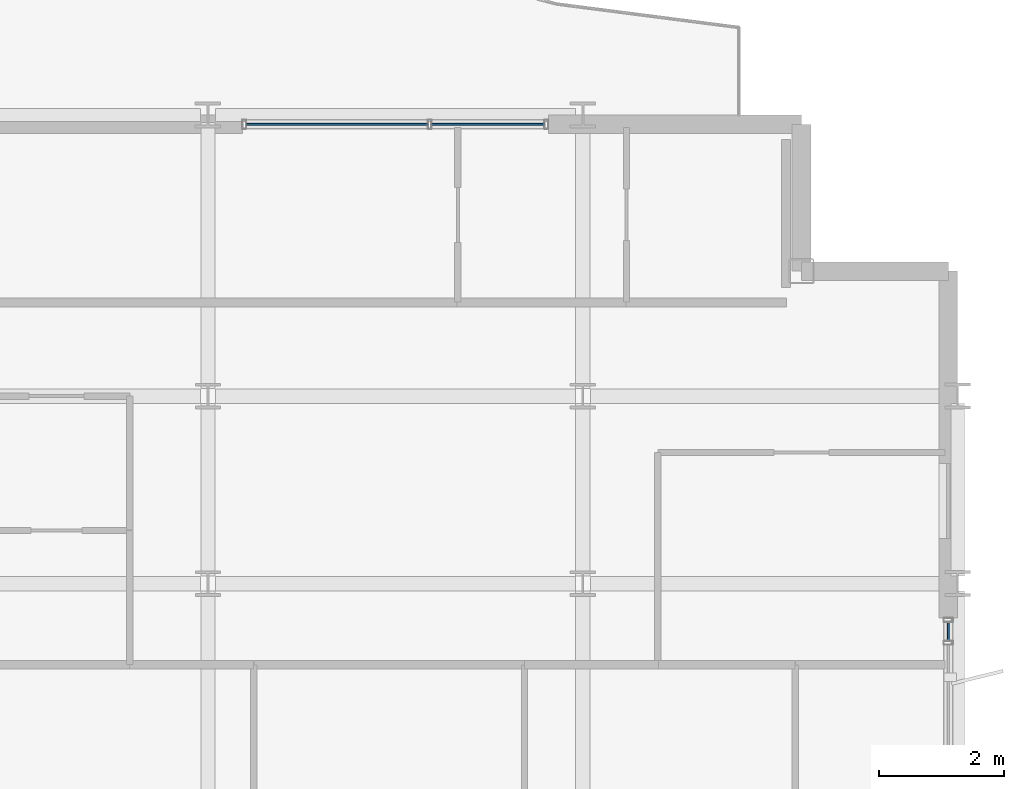
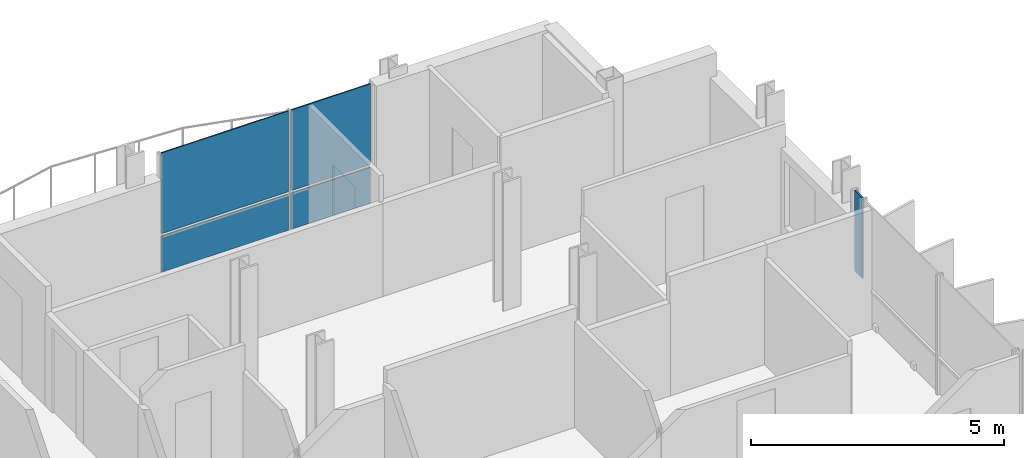
# One storey, part 26 of 40: 5 plates, 2 elements without a shape of their own.
"""IFC4 building model written with IfcOpenShell, lengths in metres."""

import ifcopenshell
import ifcopenshell.guid

model = None  # the IFC model being written
_history = None  # IfcOwnerHistory: only IFC2X3 demands one
_inside = {}  # id of a spatial element -> (the spatial element, [elements in it])
_under = {}  # id of a project, library or spatial element -> (it, [spatial elements below it])
_declared = {}  # id of a project -> (the project, [libraries it declares])
_typed = {}  # id of a type object -> (the type object, [elements of that type])
_made_of = {}  # id of a material, layer set ... -> (it, [elements and type objects made of it])


def new_model(schema):
    """Start an empty IFC model of exactly this schema.

    Asked for "IFC4X3", IfcOpenShell would pick the latest addendum, in which some entities
    have other attributes; the version numbers below select the first issue.
    IFC2X3 requires an IfcOwnerHistory on every rooted entity: one is made here for all.
    """
    global model, _history
    if schema == "IFC4X3":
        model = ifcopenshell.file(schema_version=(4, 3, 0, 0))
    else:
        model = ifcopenshell.file(schema=schema)
    _inside.clear()
    _under.clear()
    _declared.clear()
    _typed.clear()
    _made_of.clear()
    _history = None
    if model.schema == "IFC2X3":
        org = make("IfcOrganization", Name="unknown")
        user = make(
            "IfcPersonAndOrganization",
            ThePerson=make("IfcPerson", FamilyName="unknown"),
            TheOrganization=org,
        )
        app = make(
            "IfcApplication",
            ApplicationDeveloper=org,
            Version="unknown",
            ApplicationFullName="unknown",
            ApplicationIdentifier="unknown",
        )
        _history = make(
            "IfcOwnerHistory",
            OwningUser=user,
            OwningApplication=app,
            ChangeAction="ADDED",
            CreationDate=0,
        )
    return model


def make(cls, **values):
    """One entity of the class cls with the attributes given. An attribute that is None is left unset."""
    return model.create_entity(
        cls, **{name: value for name, value in values.items() if value is not None}
    )


def rooted(cls, **values):
    """An entity with a GlobalId (a new one), such as an element, a storey or a relation."""
    return make(cls, GlobalId=ifcopenshell.guid.new(), OwnerHistory=_history, **values)


def si_unit(unit_type, name, prefix=None):
    """IfcSIUnit, for example si_unit("LENGTHUNIT", "METRE", prefix="MILLI")."""
    return make("IfcSIUnit", UnitType=unit_type, Prefix=prefix, Name=name)


def assignment(units):
    """IfcUnitAssignment: the units of a project."""
    return None if units is None else make("IfcUnitAssignment", Units=units)


def point(xyz):
    """IfcCartesianPoint."""
    return None if xyz is None else make("IfcCartesianPoint", Coordinates=xyz)


def direction(xyz):
    """IfcDirection."""
    return None if xyz is None else make("IfcDirection", DirectionRatios=xyz)


def frame(location, z_axis=None, x_axis=None):
    """IfcAxis2Placement3D, a coordinate frame: its origin and axes. An axis left out is left unset."""
    return make(
        "IfcAxis2Placement3D",
        Location=point(location),
        Axis=direction(z_axis),
        RefDirection=direction(x_axis),
    )


def frame_2d(location, x_axis=None):
    """IfcAxis2Placement2D, a coordinate frame in the plane: its origin and x axis."""
    return make(
        "IfcAxis2Placement2D", Location=point(location), RefDirection=direction(x_axis)
    )


def origin():
    """The frame at (0, 0, 0) with its axes left unset."""
    return frame((0.0, 0.0, 0.0))


def origin_2d():
    """The frame at (0, 0) in the plane with its x axis left unset."""
    return frame_2d((0.0, 0.0))


def place(relative_to, where):
    """IfcLocalPlacement: puts the frame where relative to a parent placement (None: the world)."""
    return make(
        "IfcLocalPlacement", PlacementRelTo=relative_to, RelativePlacement=where
    )


def context(
    kind, dimensions, precision=None, world=None, true_north=None, identifier=None
):
    """IfcGeometricRepresentationContext, for example the 3D "Model" context."""
    return make(
        "IfcGeometricRepresentationContext",
        ContextIdentifier=identifier,
        ContextType=kind,
        CoordinateSpaceDimension=dimensions,
        Precision=precision,
        WorldCoordinateSystem=world,
        TrueNorth=true_north,
    )


def subcontext(parent, identifier, kind, view, scale=None):
    """IfcGeometricRepresentationSubContext, for example "Body" below "Model"."""
    return make(
        "IfcGeometricRepresentationSubContext",
        ContextIdentifier=identifier,
        ContextType=kind,
        ParentContext=parent,
        TargetScale=scale,
        TargetView=view,
    )


def project(units=None, contexts=None):
    """IfcProject with its units and contexts."""
    return rooted(
        "IfcProject",
        Name="project",
        RepresentationContexts=contexts,
        UnitsInContext=assignment(units),
    )


def spatial(cls, under=None, at=None, **own):
    """A site, building, storey or space (cls), placed at a placement, below another one or the project."""
    s = rooted(cls, ObjectPlacement=at, **own)
    if under is not None:
        _under.setdefault(under.id(), (under, []))[1].append(s)
    return s


def profile(cls, at=None, kind="AREA", **sizes):
    """A parametric profile (cls). Its sizes go by their IFC names, for example OverallWidth=200.0."""
    return make(cls, ProfileType=kind, Position=at, **sizes)


def rectangle(**sizes):
    """IfcRectangleProfileDef."""
    return profile("IfcRectangleProfileDef", **sizes)


def extrude(swept, where, along, depth):
    """IfcExtrudedAreaSolid: the profile swept, set in the frame where, extruded along a direction by depth."""
    return make(
        "IfcExtrudedAreaSolid",
        SweptArea=swept,
        Position=where,
        ExtrudedDirection=direction(along),
        Depth=depth,
    )


def shape(context_of_items, identifier, shape_type, items):
    """IfcShapeRepresentation: the items that make up one representation, for example the "Body"."""
    return make(
        "IfcShapeRepresentation",
        ContextOfItems=context_of_items,
        RepresentationIdentifier=identifier,
        RepresentationType=shape_type,
        Items=items,
    )


def material(Name=None, Category=None):
    """IfcMaterial."""
    return make("IfcMaterial", Name=Name, Category=Category)


def layer(
    of_material, thickness, ventilated=None, Name=None, Category=None, Priority=None
):
    """IfcMaterialLayer: one layer of a wall or slab, of a material (None: an air gap)."""
    return make(
        "IfcMaterialLayer",
        Material=of_material,
        LayerThickness=thickness,
        IsVentilated=ventilated,
        Name=Name,
        Category=Category,
        Priority=Priority,
    )


def layer_set(layers, Name=None):
    """IfcMaterialLayerSet."""
    return make("IfcMaterialLayerSet", MaterialLayers=layers, LayerSetName=Name)


def made_of(thing, what):
    """Note that an element or type object is made of a material, layer set ...; save() writes the relation."""
    if what is not None:
        _made_of.setdefault(what.id(), (what, []))[1].append(thing)
    return thing


def type_object(cls, material=None, **own):
    """A type object (cls), such as IfcWallType, which elements share."""
    return made_of(rooted(cls, **own), material)


def element(
    cls,
    number,
    at=None,
    inside=None,
    cuts=None,
    type_object=None,
    material=None,
    context=None,
    identifier="Body",
    shape_type=None,
    held_by="IfcProductDefinitionShape",
    body=None,
    shapes=None,
    **own,
):
    """One element of the class cls, such as IfcWall. Its Tag is "e" and its number.

    at: its placement. inside: the storey or other place that contains it. cuts: it is an
    opening in that element (IfcRelVoidsElement). A single representation is given by context,
    identifier, shape_type and body (its items); several are given by shapes. held_by: the class
    of the entity that holds the representations. save() writes the other relations.
    """
    e = rooted(cls, Tag="e%d" % number, ObjectPlacement=at, **own)
    if body is not None:
        shapes = [shape(context, identifier, shape_type, body)]
    if shapes is not None:
        e.Representation = make(held_by, Representations=shapes)
    if inside is not None:
        _inside.setdefault(inside.id(), (inside, []))[1].append(e)
    if cuts is not None:
        rooted(
            "IfcRelVoidsElement", RelatingBuildingElement=cuts, RelatedOpeningElement=e
        )
    if type_object is not None:
        _typed.setdefault(type_object.id(), (type_object, []))[1].append(e)
    return made_of(e, material)


def aggregate(whole, parts):
    """IfcRelAggregates: a whole, such as a stair, and the parts it consists of."""
    return rooted("IfcRelAggregates", RelatingObject=whole, RelatedObjects=parts)


def save(model, path):
    """Write the relations noted so far, then the file.

    IfcRelAggregates (storeys below a building ...), IfcRelContainedInSpatialStructure (elements
    in a storey), IfcRelDefinesByType, IfcRelAssociatesMaterial and IfcRelDeclares: one each for
    every whole, place, type object, material and project.
    """
    for whole, parts in _under.values():
        aggregate(whole, parts)
    for where, things in _inside.values():
        rooted(
            "IfcRelContainedInSpatialStructure",
            RelatedElements=things,
            RelatingStructure=where,
        )
    for kind, things in _typed.values():
        rooted("IfcRelDefinesByType", RelatedObjects=things, RelatingType=kind)
    for what, things in _made_of.values():
        rooted("IfcRelAssociatesMaterial", RelatedObjects=things, RelatingMaterial=what)
    for by, libraries in _declared.values():
        rooted("IfcRelDeclares", RelatingContext=by, RelatedDefinitions=libraries)
    model.write(path)


model = new_model("IFC4")

# Units and contexts
model_context = context("Model", 3, precision=1e-05, world=origin(), true_north=direction((0.0, 1.0)))
body_context = subcontext(model_context, "Body", "Model", "MODEL_VIEW")
ifc_project = project(units=[si_unit("LENGTHUNIT", "METRE"), si_unit("AREAUNIT", "SQUARE_METRE"), si_unit("VOLUMEUNIT", "CUBIC_METRE"), si_unit("PLANEANGLEUNIT", "RADIAN"), si_unit("MASSUNIT", "GRAM", prefix="KILO")], contexts=[model_context])

# Site, building, storey
site_placement = place(None, origin())
site = spatial("IfcSite", under=ifc_project, at=site_placement, CompositionType="ELEMENT")
building_placement = place(site_placement, origin())
building = spatial("IfcBuilding", under=site, at=building_placement, Name="Brevholm Reach", CompositionType="ELEMENT")
storey_placement = place(building_placement, frame((0.0, 0.0, 160.39990234375)))
storey = spatial("IfcBuildingStorey", under=building, at=storey_placement, Name="L48", CompositionType="ELEMENT", Elevation=160.39990234375)

# Curtain wall, plate
ifc_material_1 = material(Name="Dark Anodised Aluminium 6063-T6 and Solar-Control Glass", Category="aluminium")
ifc_layer_1 = layer(ifc_material_1, 0.14990234375)
ifc_layer_set_1 = layer_set([ifc_layer_1], Name="Dark Anodised Aluminium 6063-T6 and Solar-Control Glass")
curtain_wall_type = type_object("IfcCurtainWallType", Name="CW-01", PredefinedType="NOTDEFINED", material=ifc_layer_set_1)
curtain_wall_1_placement = place(storey_placement, origin())
curtain_wall_1 = element("IfcCurtainWall", 1, at=curtain_wall_1_placement, inside=storey, type_object=curtain_wall_type, Name="L48 Curtain Wall CW-01", PredefinedType="NOTDEFINED")
ifc_material_2 = material(Name="Dark Solar-Control Double-Glazed IGU Glass", Category="glass")
ifc_layer_2 = layer(ifc_material_2, 0.028076171875)
ifc_layer_set_2 = layer_set([ifc_layer_2], Name="Dark Solar-Control Double-Glazed IGU Glass")
plate_type = type_object("IfcPlateType", Name="CWP-GLZ-28", PredefinedType="CURTAIN_PANEL", material=ifc_layer_set_2)
plate_1_placement = place(storey_placement, frame((59.85009765625, 22.733642578125, 0.9326171875), z_axis=(0.0, 0.0, 1.0), x_axis=(0.0, 1.0, 0.0)))
plate_1 = element("IfcPlate", 2, at=plate_1_placement, type_object=plate_type, Name="CP-01 Glazing Panel 5.2", PredefinedType="CURTAIN_PANEL", context=body_context, shape_type="SweptSolid", body=[
    extrude(rectangle(XDim=0.302490234375, YDim=0.028076171875, at=origin_2d()), origin(), (0.0, 0.0, 1.0), 1.947509765625),
])
aggregate(curtain_wall_1, [plate_1])

# Curtain wall, plates
curtain_wall_2_placement = place(storey_placement, origin())
curtain_wall_2 = element("IfcCurtainWall", 3, at=curtain_wall_2_placement, inside=storey, type_object=curtain_wall_type, Name="L48 Curtain Wall CW-01", PredefinedType="NOTDEFINED")
plate_2_placement = place(storey_placement, frame((50.066162109375, 30.85009765625, 0.0), z_axis=(0.0, 0.0, 1.0), x_axis=(1.0, 0.0, 0.0)))
plate_2 = element("IfcPlate", 4, at=plate_2_placement, type_object=plate_type, Name="CP-01 Glazing Panel 1.1", PredefinedType="CURTAIN_PANEL", context=body_context, shape_type="SweptSolid", body=[
    extrude(rectangle(XDim=2.902587890625, YDim=0.028076171875, at=origin_2d()), origin(), (0.0, 0.0, 1.0), 0.867431640625),
])
plate_3_placement = place(storey_placement, frame((50.066162109375, 30.85009765625, 0.9326171875), z_axis=(0.0, 0.0, 1.0), x_axis=(1.0, 0.0, 0.0)))
plate_3 = element("IfcPlate", 5, at=plate_3_placement, type_object=plate_type, Name="CP-01 Glazing Panel 1.2", PredefinedType="CURTAIN_PANEL", context=body_context, shape_type="SweptSolid", body=[
    extrude(rectangle(XDim=2.902587890625, YDim=0.028076171875, at=origin_2d()), origin(), (0.0, 0.0, 1.0), 1.947509765625),
])
plate_4_placement = place(storey_placement, frame((52.483642578125, 30.85009765625, 0.0), z_axis=(0.0, 0.0, 1.0), x_axis=(1.0, 0.0, 0.0)))
plate_4 = element("IfcPlate", 6, at=plate_4_placement, type_object=plate_type, Name="CP-01 Glazing Panel 2.1", PredefinedType="CURTAIN_PANEL", context=body_context, shape_type="SweptSolid", body=[
    extrude(rectangle(XDim=1.802490234375, YDim=0.028076171875, at=origin_2d()), origin(), (0.0, 0.0, 1.0), 0.867431640625),
])
plate_5_placement = place(storey_placement, frame((52.483642578125, 30.85009765625, 0.9326171875), z_axis=(0.0, 0.0, 1.0), x_axis=(1.0, 0.0, 0.0)))
plate_5 = element("IfcPlate", 7, at=plate_5_placement, type_object=plate_type, Name="CP-01 Glazing Panel 2.2", PredefinedType="CURTAIN_PANEL", context=body_context, shape_type="SweptSolid", body=[
    extrude(rectangle(XDim=1.802490234375, YDim=0.028076171875, at=origin_2d()), origin(), (0.0, 0.0, 1.0), 1.947509765625),
])
aggregate(curtain_wall_2, [plate_2, plate_3, plate_4, plate_5])

save(model, "model.ifc")
